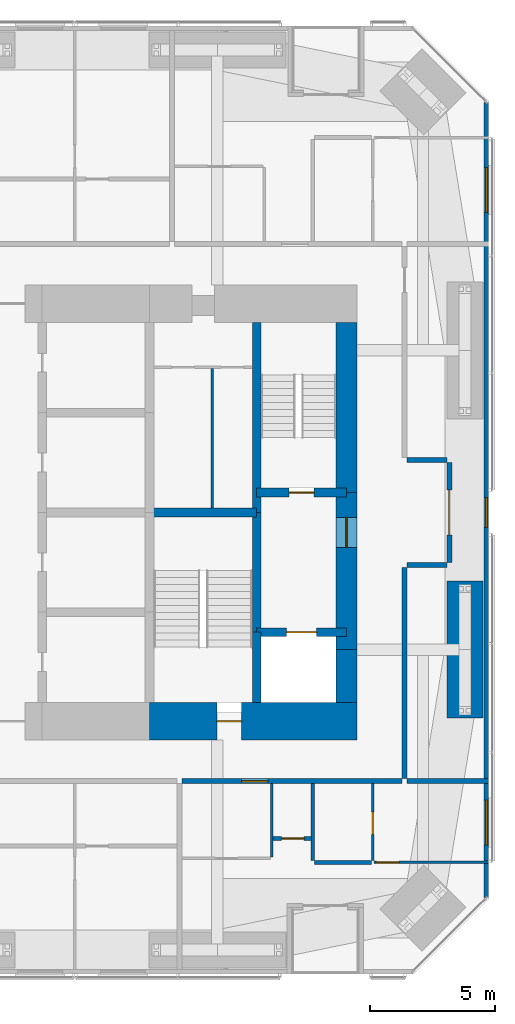
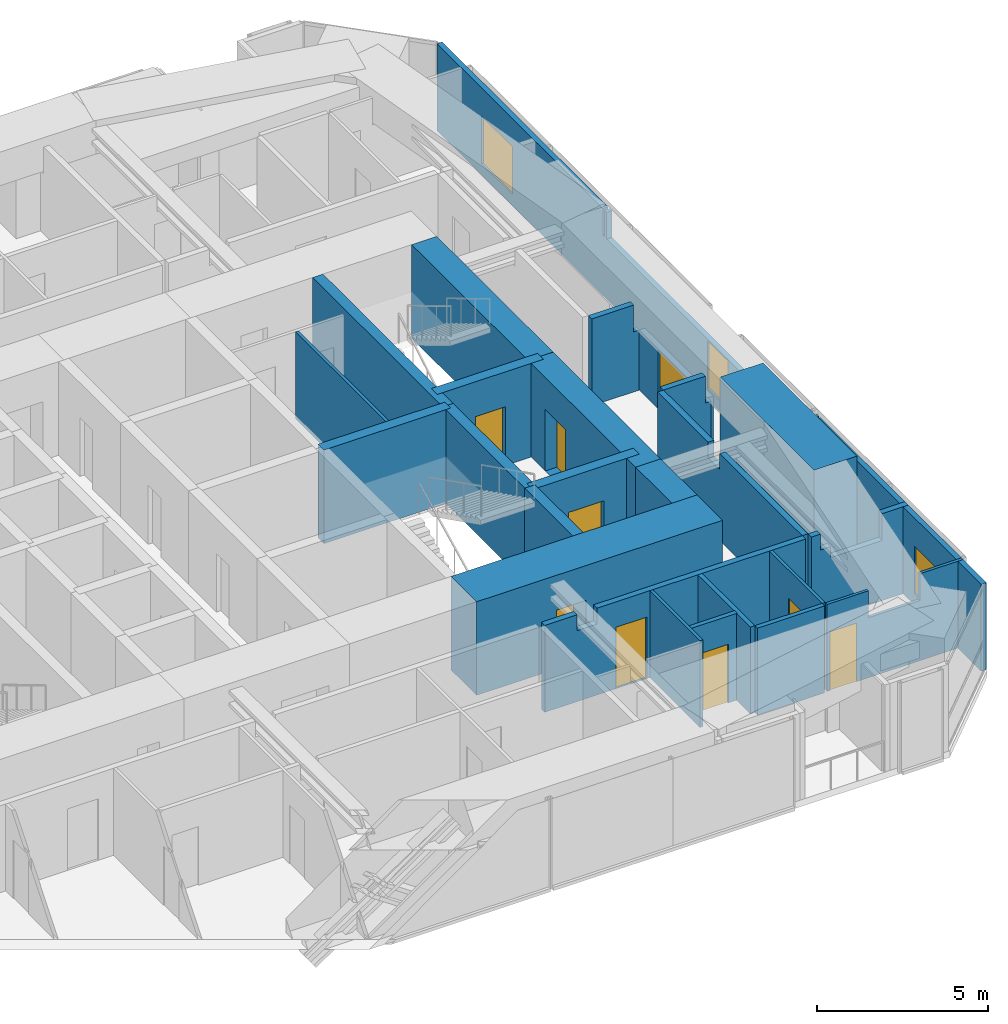
# One storey, part 20 of 23: 25 walls, 9 doors, 3 windows, 12 openings.
"""IFC4 building model written with IfcOpenShell, lengths in metres."""

from ifc_helpers import new_model, si_unit, direction, frame, frame_2d, origin, place, context, subcontext, project, spatial, polyline, rectangle, outline, extrude, material, layer, layer_set, constituent, constituent_set, type_object, element, fill, save


model = new_model("IFC4")

# Units and contexts
model_context = context("Model", 3, precision=1e-05, world=origin(), true_north=direction((0.0, 1.0)))
body_context = subcontext(model_context, "Body", "Model", "MODEL_VIEW")
ifc_project = project(units=[si_unit("LENGTHUNIT", "METRE"), si_unit("AREAUNIT", "SQUARE_METRE"), si_unit("VOLUMEUNIT", "CUBIC_METRE"), si_unit("PLANEANGLEUNIT", "RADIAN"), si_unit("MASSUNIT", "GRAM", prefix="KILO")], contexts=[model_context])

# Site, building, storey
site_placement = place(None, origin())
site = spatial("IfcSite", under=ifc_project, at=site_placement, CompositionType="ELEMENT")
building_placement = place(site_placement, origin())
building = spatial("IfcBuilding", under=site, at=building_placement, Name="Jalousie Tower", CompositionType="ELEMENT")
storey_placement = place(building_placement, frame((0.0, 0.0, 121.60009765625)))
storey = spatial("IfcBuildingStorey", under=building, at=storey_placement, Name="L33", CompositionType="ELEMENT", Elevation=121.60009765625)

# Walls
ifc_material_1 = material(Name="Concrete block ASTM C90", Category="concrete")
ifc_constituent_1 = constituent(ifc_material_1, Name="Body")
ifc_material_2 = material(Name="Render")
ifc_constituent_2 = constituent(ifc_material_2, Name="Finish")
ifc_constituent_set_1 = constituent_set(constituents=[ifc_constituent_1, ifc_constituent_2])
wall_type_1 = type_object("IfcWallType", Name="BATHROOM WALL 150", PredefinedType="PLUMBINGWALL", material=ifc_constituent_set_1)
wall_1_placement = place(storey_placement, frame((42.52490234375, 4.4638671875, 0.0), z_axis=(0.0, 0.0, 1.0), x_axis=(1.0, 0.0, 0.0)))
element("IfcWall", 1, at=wall_1_placement, inside=storey, type_object=wall_type_1, Name="Bathroom Wall 150 L33", PredefinedType="PLUMBINGWALL", context=body_context, shape_type="SweptSolid", body=[
    extrude(rectangle(XDim=2.275146484375, YDim=0.14990234375, at=frame_2d((1.1376953125, 0.0))), origin(), (0.0, 0.0, 1.0), 3.10986328125),
])
wall_2_placement = place(storey_placement, frame((42.449951171875, 4.538818359375, 0.0), z_axis=(0.0, 0.0, 1.0), x_axis=(0.0, 1.0, 0.0)))
element("IfcWall", 2, at=wall_2_placement, inside=storey, type_object=wall_type_1, Name="Bathroom Wall 150 L33", PredefinedType="PLUMBINGWALL", context=body_context, shape_type="SweptSolid", body=[
    extrude(rectangle(XDim=3.086181640625, YDim=0.14990234375, at=frame_2d((1.54296875, 0.0))), origin(), (0.0, 0.0, 1.0), 3.10986328125),
])

# Wall, opening, door
wall_3_placement = place(storey_placement, frame((40.85009765625, 5.425048828125, 0.0), z_axis=(0.0, 0.0, 1.0), x_axis=(1.0, 0.0, 0.0)))
wall_3 = element("IfcWall", 3, at=wall_3_placement, inside=storey, type_object=wall_type_1, Name="Bathroom Wall 150 L33", PredefinedType="PLUMBINGWALL", context=body_context, shape_type="SweptSolid", body=[
    extrude(rectangle(XDim=1.5498046875, YDim=0.14990234375, at=frame_2d((0.77490234375, 0.0))), origin(), (0.0, 0.0, 1.0), 3.10986328125),
])
opening_1_placement = place(wall_3_placement, frame((0.35009765625, 0.0, 0.0)))
opening_1 = element("IfcOpeningElement", 4, at=opening_1_placement, cuts=wall_3, Name="Opening D7", PredefinedType="OPENING", context=body_context, shape_type="SweptSolid", body=[
    extrude(rectangle(XDim=0.89990234375, YDim=2.10009765625, at=frame_2d((0.449951171875, 1.050048828125))), frame((0.0, 0.0849609375, 0.0), z_axis=(0.0, -1.0, 0.0), x_axis=(1.0, 0.0, 0.0)), (0.0, 0.0, 1.0), 0.169921875),
])
ifc_material_3 = material(Name="Timber door", Category="wood")
door_type_1 = type_object("IfcDoorType", Name="INTERNAL DOOR 900", OperationType="SINGLE_SWING_LEFT", PredefinedType="DOOR", material=ifc_material_3)
door_1_placement = place(opening_1_placement, origin())
door_1 = element("IfcDoor", 5, at=door_1_placement, inside=storey, type_object=door_type_1, Name="Apartment 3302 guest WC door", OperationType="SINGLE_SWING_RIGHT", OverallHeight=2.10009765625, OverallWidth=0.89990234375, PredefinedType="DOOR", context=body_context, shape_type="SweptSolid", body=[
    extrude(rectangle(XDim=0.89990234375, YDim=2.10009765625, at=frame_2d((0.449951171875, 1.050048828125))), frame((0.0, 0.02490234375, 0.0), z_axis=(0.0, -1.0, 0.0), x_axis=(1.0, 0.0, 0.0)), (0.0, 0.0, 1.0), 0.050048828125),
])
fill(opening_1, door_1)

ifc_material_4 = material(Name="Concrete f'c 120 MPa", Category="concrete")
ifc_layer_1 = layer(ifc_material_4, 1.5)
ifc_layer_set_1 = layer_set([ifc_layer_1], Name="Concrete f'c 120 MPa")
wall_type_2 = type_object("IfcWallType", Name="CORE WALL 1500", PredefinedType="SHEAR", material=ifc_layer_set_1)
wall_4_placement = place(storey_placement, frame((35.89990234375, 10.125, 0.0), z_axis=(0.0, 0.0, 1.0), x_axis=(1.0, 0.0, 0.0)))
wall_4 = element("IfcWall", 6, at=wall_4_placement, inside=storey, type_object=wall_type_2, Name="Core wall SD L33", PredefinedType="SHEAR", context=body_context, shape_type="SweptSolid", body=[
    extrude(rectangle(XDim=8.3251953125, YDim=1.5, at=frame_2d((4.16259765625, 0.0))), origin(), (0.0, 0.0, 1.0), 3.349853515625),
])
opening_2_placement = place(wall_4_placement, frame((2.699951171875, 0.0, 0.0)))
opening_2 = element("IfcOpeningElement", 7, at=opening_2_placement, cuts=wall_4, Name="Opening D10", PredefinedType="OPENING", context=body_context, shape_type="SweptSolid", body=[
    extrude(rectangle(XDim=1.0, YDim=2.10009765625, at=frame_2d((0.5, 1.050048828125))), frame((0.0, 0.760009765625, 0.0), z_axis=(0.0, -1.0, 0.0), x_axis=(1.0, 0.0, 0.0)), (0.0, 0.0, 1.0), 1.52001953125),
])
ifc_material_5 = material(Name="Steel fire door", Category="steel")
door_type_2 = type_object("IfcDoorType", Name="STAIR DOOR 1000", OperationType="SINGLE_SWING_LEFT", PredefinedType="DOOR", material=ifc_material_5)
door_2_placement = place(opening_2_placement, origin())
door_2 = element("IfcDoor", 8, at=door_2_placement, inside=storey, type_object=door_type_2, Name="Exit stair C door", OperationType="SINGLE_SWING_RIGHT", OverallHeight=2.10009765625, OverallWidth=1.0, PredefinedType="DOOR", context=body_context, shape_type="SweptSolid", body=[
    extrude(rectangle(XDim=1.0, YDim=2.10009765625, at=frame_2d((0.5, 1.050048828125))), frame((0.0, 0.02490234375, 0.0), z_axis=(0.0, -1.0, 0.0), x_axis=(1.0, 0.0, 0.0)), (0.0, 0.0, 1.0), 0.050048828125),
])
fill(opening_2, door_2)

# Walls
ifc_material_6 = material(Name="Concrete f'c 120 MPa", Category="concrete")
ifc_layer_2 = layer(ifc_material_6, 0.35009765625)
ifc_layer_set_2 = layer_set([ifc_layer_2], Name="Concrete f'c 120 MPa")
wall_type_3 = type_object("IfcWallType", Name="CORE WALL 350", PredefinedType="SHEAR", material=ifc_layer_set_2)
wall_5_placement = place(storey_placement, frame((40.199951171875, 10.875, 0.0), z_axis=(0.0, 0.0, 1.0), x_axis=(0.0, 1.0, 0.0)))
element("IfcWall", 9, at=wall_5_placement, inside=storey, type_object=wall_type_3, Name="Core wall X40.2A L33", PredefinedType="SHEAR", context=body_context, shape_type="SweptSolid", body=[
    extrude(rectangle(XDim=2.824951171875, YDim=0.35009765625, at=frame_2d((1.41259765625, 0.0))), origin(), (0.0, 0.0, 1.0), 3.349853515625),
])
wall_6_placement = place(storey_placement, frame((40.199951171875, 13.699951171875, 0.0), z_axis=(0.0, 0.0, 1.0), x_axis=(0.0, 1.0, 0.0)))
element("IfcWall", 10, at=wall_6_placement, inside=storey, type_object=wall_type_3, Name="Core wall X40.2B L33", PredefinedType="SHEAR", context=body_context, shape_type="SweptSolid", body=[
    extrude(rectangle(XDim=4.800048828125, YDim=0.35009765625, at=frame_2d((2.39990234375, 0.0))), origin(), (0.0, 0.0, 1.0), 3.349853515625),
])
wall_7_placement = place(storey_placement, frame((40.199951171875, 18.5, 0.0), z_axis=(0.0, 0.0, 1.0), x_axis=(0.0, 1.0, 0.0)))
element("IfcWall", 11, at=wall_7_placement, inside=storey, type_object=wall_type_3, Name="Core wall X40.2C L33", PredefinedType="SHEAR", context=body_context, shape_type="SweptSolid", body=[
    extrude(rectangle(XDim=7.625, YDim=0.35009765625, at=frame_2d((3.8125, 0.0))), origin(), (0.0, 0.0, 1.0), 3.349853515625),
])
wall_8_placement = place(storey_placement, frame((35.89990234375, 18.5, 0.0), z_axis=(0.0, 0.0, 1.0), x_axis=(1.0, 0.0, 0.0)))
element("IfcWall", 12, at=wall_8_placement, inside=storey, type_object=wall_type_3, Name="Core wall Y35.9-18.5 L33", PredefinedType="SHEAR", context=body_context, shape_type="SweptSolid", body=[
    extrude(rectangle(XDim=4.300048828125, YDim=0.35009765625, at=frame_2d((2.14990234375, 0.0))), origin(), (0.0, 0.0, 1.0), 3.349853515625),
])

# Wall, opening, door
wall_9_placement = place(storey_placement, frame((40.199951171875, 13.699951171875, 0.0), z_axis=(0.0, 0.0, 1.0), x_axis=(1.0, 0.0, 0.0)))
wall_9 = element("IfcWall", 13, at=wall_9_placement, inside=storey, type_object=wall_type_3, Name="Core wall Y40.2-13.7 L33", PredefinedType="SHEAR", context=body_context, shape_type="SweptSolid", body=[
    extrude(rectangle(XDim=3.60009765625, YDim=0.35009765625, at=frame_2d((1.800048828125, 0.0))), origin(), (0.0, 0.0, 1.0), 3.349853515625),
])
opening_3_placement = place(wall_9_placement, frame((1.199951171875, 0.0, 0.0)))
opening_3 = element("IfcOpeningElement", 14, at=opening_3_placement, cuts=wall_9, Name="Opening LD2", PredefinedType="OPENING", context=body_context, shape_type="SweptSolid", body=[
    extrude(rectangle(XDim=1.199951171875, YDim=2.10009765625, at=frame_2d((0.60009765625, 1.050048828125))), frame((0.0, 0.18505859375, 0.0), z_axis=(0.0, -1.0, 0.0), x_axis=(1.0, 0.0, 0.0)), (0.0, 0.0, 1.0), 0.3701171875),
])
ifc_material_7 = material(Name="Steel lift landing door", Category="steel")
door_type_3 = type_object("IfcDoorType", Name="LIFT LANDING DOOR 1200", OperationType="SLIDING_TO_LEFT", PredefinedType="DOOR", material=ifc_material_7)
door_3_placement = place(opening_3_placement, origin())
door_3 = element("IfcDoor", 15, at=door_3_placement, inside=storey, type_object=door_type_3, Name="Lift F2 landing door", OperationType="SLIDING_TO_LEFT", OverallHeight=2.10009765625, OverallWidth=1.199951171875, PredefinedType="DOOR", context=body_context, shape_type="SweptSolid", body=[
    extrude(rectangle(XDim=1.199951171875, YDim=2.10009765625, at=frame_2d((0.60009765625, 1.050048828125))), frame((0.0, 0.02490234375, 0.0), z_axis=(0.0, -1.0, 0.0), x_axis=(1.0, 0.0, 0.0)), (0.0, 0.0, 1.0), 0.050048828125),
])
fill(opening_3, door_3)

wall_10_placement = place(storey_placement, frame((40.199951171875, 19.300048828125, 0.0), z_axis=(0.0, 0.0, 1.0), x_axis=(1.0, 0.0, 0.0)))
wall_10 = element("IfcWall", 16, at=wall_10_placement, inside=storey, type_object=wall_type_3, Name="Core wall Y40.2-19.3 L33", PredefinedType="SHEAR", context=body_context, shape_type="SweptSolid", body=[
    extrude(rectangle(XDim=3.60009765625, YDim=0.35009765625, at=frame_2d((1.800048828125, 0.0))), origin(), (0.0, 0.0, 1.0), 3.349853515625),
])
opening_4_placement = place(wall_10_placement, frame((1.300048828125, 0.0, 0.0)))
opening_4 = element("IfcOpeningElement", 17, at=opening_4_placement, cuts=wall_10, Name="Opening D10", PredefinedType="OPENING", context=body_context, shape_type="SweptSolid", body=[
    extrude(rectangle(XDim=1.0, YDim=2.10009765625, at=frame_2d((0.5, 1.050048828125))), frame((0.0, 0.18505859375, 0.0), z_axis=(0.0, -1.0, 0.0), x_axis=(1.0, 0.0, 0.0)), (0.0, 0.0, 1.0), 0.3701171875),
])
door_4_placement = place(opening_4_placement, origin())
door_4 = element("IfcDoor", 18, at=door_4_placement, inside=storey, type_object=door_type_2, Name="Exit stair B door", OperationType="SINGLE_SWING_RIGHT", OverallHeight=2.10009765625, OverallWidth=1.0, PredefinedType="DOOR", context=body_context, shape_type="SweptSolid", body=[
    extrude(rectangle(XDim=1.0, YDim=2.10009765625, at=frame_2d((0.5, 1.050048828125))), frame((0.0, 0.02490234375, 0.0), z_axis=(0.0, -1.0, 0.0), x_axis=(1.0, 0.0, 0.0)), (0.0, 0.0, 1.0), 0.050048828125),
])
fill(opening_4, door_4)

# Wall
ifc_material_8 = material(Name="Concrete f'c 120 MPa", Category="concrete")
ifc_layer_3 = layer(ifc_material_8, 0.85009765625)
ifc_layer_set_3 = layer_set([ifc_layer_3], Name="Concrete f'c 120 MPa")
wall_type_4 = type_object("IfcWallType", Name="CORE WALL 850", PredefinedType="SHEAR", material=ifc_layer_set_3)
wall_11_placement = place(storey_placement, frame((43.800048828125, 10.875, 0.0), z_axis=(0.0, 0.0, 1.0), x_axis=(0.0, 1.0, 0.0)))
element("IfcWall", 19, at=wall_11_placement, inside=storey, type_object=wall_type_4, Name="Core wall EA L33", PredefinedType="SHEAR", context=body_context, shape_type="SweptSolid", body=[
    extrude(rectangle(XDim=2.125, YDim=0.85009765625, at=frame_2d((1.0625, 0.0))), origin(), (0.0, 0.0, 1.0), 3.349853515625),
])

# Wall, opening, door
wall_12_placement = place(storey_placement, frame((43.800048828125, 13.0, 0.0), z_axis=(0.0, 0.0, 1.0), x_axis=(0.0, 1.0, 0.0)))
wall_12 = element("IfcWall", 20, at=wall_12_placement, inside=storey, type_object=wall_type_4, Name="Core wall EB L33", PredefinedType="SHEAR", context=body_context, shape_type="SweptSolid", body=[
    extrude(rectangle(XDim=6.300048828125, YDim=0.85009765625, at=frame_2d((3.14990234375, 0.0))), origin(), (0.0, 0.0, 1.0), 3.349853515625),
])
opening_5_placement = place(wall_12_placement, frame((4.10009765625, 0.0, 0.0)))
opening_5 = element("IfcOpeningElement", 21, at=opening_5_placement, cuts=wall_12, Name="Opening D11", PredefinedType="OPENING", context=body_context, shape_type="SweptSolid", body=[
    extrude(rectangle(XDim=1.199951171875, YDim=2.199951171875, at=frame_2d((0.60009765625, 1.10009765625))), frame((0.0, 0.43505859375, 0.0), z_axis=(0.0, -1.0, 0.0), x_axis=(1.0, 0.0, 0.0)), (0.0, 0.0, 1.0), 0.8701171875),
])
ifc_material_9 = material(Name="Steel fire door", Category="steel")
door_type_4 = type_object("IfcDoorType", Name="FIRE DOOR 1200", OperationType="SINGLE_SWING_LEFT", PredefinedType="DOOR", material=ifc_material_9)
door_5_placement = place(opening_5_placement, origin())
door_5 = element("IfcDoor", 22, at=door_5_placement, inside=storey, type_object=door_type_4, Name="Fire-fighting lobby B door", OperationType="SINGLE_SWING_RIGHT", OverallHeight=2.199951171875, OverallWidth=1.199951171875, PredefinedType="DOOR", context=body_context, shape_type="SweptSolid", body=[
    extrude(rectangle(XDim=1.199951171875, YDim=2.199951171875, at=frame_2d((0.60009765625, 1.10009765625))), frame((0.0, 0.02490234375, 0.0), z_axis=(0.0, -1.0, 0.0), x_axis=(1.0, 0.0, 0.0)), (0.0, 0.0, 1.0), 0.050048828125),
])
fill(opening_5, door_5)

# Wall
wall_13_placement = place(storey_placement, frame((43.800048828125, 19.300048828125, 0.0), z_axis=(0.0, 0.0, 1.0), x_axis=(0.0, 1.0, 0.0)))
element("IfcWall", 23, at=wall_13_placement, inside=storey, type_object=wall_type_4, Name="Core wall EC L33", PredefinedType="SHEAR", context=body_context, shape_type="SweptSolid", body=[
    extrude(rectangle(XDim=6.824951171875, YDim=0.85009765625, at=frame_2d((3.41259765625, 0.0))), origin(), (0.0, 0.0, 1.0), 3.349853515625),
])

# Wall, opening, door
ifc_material_10 = material(Name="Concrete block ASTM C90", Category="concrete")
ifc_constituent_3 = constituent(ifc_material_10, Name="Body")
ifc_material_11 = material(Name="Render")
ifc_constituent_4 = constituent(ifc_material_11, Name="Finish")
ifc_constituent_set_2 = constituent_set(constituents=[ifc_constituent_3, ifc_constituent_4])
wall_type_5 = type_object("IfcWallType", Name="CORRIDOR WALL 200", PredefinedType="PARTITIONING", material=ifc_constituent_set_2)
wall_14_placement = place(storey_placement, frame((37.199951171875, 7.72509765625, 0.0), z_axis=(0.0, 0.0, 1.0), x_axis=(1.0, 0.0, 0.0)))
wall_14 = element("IfcWall", 24, at=wall_14_placement, inside=storey, type_object=wall_type_5, Name="Corridor Wall 200 L33", PredefinedType="PARTITIONING", context=body_context, shape_type="SweptSolid", body=[
    extrude(outline(polyline([(0.0, 0.0), (8.824951171875, 0.0), (8.824951171875, 3.10986328125), (1.76220703125, 3.10986328125), (1.76220703125, 2.541015625), (1.087646484375, 2.541015625), (1.087646484375, 3.10986328125), (0.0, 3.10986328125), (0.0, 0.0)])), frame((0.0, 0.10009765625, 0.0), z_axis=(0.0, -1.0, 0.0), x_axis=(1.0, 0.0, 0.0)), (0.0, 0.0, 1.0), 0.199951171875),
])
opening_6_placement = place(wall_14_placement, frame((2.39990234375, 0.0, 0.0)))
opening_6 = element("IfcOpeningElement", 25, at=opening_6_placement, cuts=wall_14, Name="Opening D1", PredefinedType="OPENING", context=body_context, shape_type="SweptSolid", body=[
    extrude(rectangle(XDim=1.050048828125, YDim=2.199951171875, at=frame_2d((0.52490234375, 1.10009765625))), frame((0.0, 0.10986328125, 0.0), z_axis=(0.0, -1.0, 0.0), x_axis=(1.0, 0.0, 0.0)), (0.0, 0.0, 1.0), 0.219970703125),
])
ifc_material_12 = material(Name="Timber fire door", Category="wood")
door_type_5 = type_object("IfcDoorType", Name="APARTMENT ENTRANCE DOOR 1050", OperationType="SINGLE_SWING_LEFT", PredefinedType="DOOR", material=ifc_material_12)
door_6_placement = place(opening_6_placement, frame((1.050048828125, 0.0, 0.0), z_axis=(0.0, 0.0, 1.0), x_axis=(-1.0, 0.0, 0.0)))
door_6 = element("IfcDoor", 26, at=door_6_placement, inside=storey, type_object=door_type_5, Name="Apartment 3302 entrance", OperationType="SINGLE_SWING_LEFT", OverallHeight=2.199951171875, OverallWidth=1.050048828125, PredefinedType="DOOR", context=body_context, shape_type="SweptSolid", body=[
    extrude(rectangle(XDim=1.050048828125, YDim=2.199951171875, at=frame_2d((0.52490234375, 1.10009765625))), frame((0.0, 0.02490234375, 0.0), z_axis=(0.0, -1.0, 0.0), x_axis=(1.0, 0.0, 0.0)), (0.0, 0.0, 1.0), 0.050048828125),
])
fill(opening_6, door_6)

# Wall
wall_15_placement = place(storey_placement, frame((46.125, 7.824951171875, 0.0), z_axis=(0.0, 0.0, 1.0), x_axis=(0.0, 1.0, 0.0)))
element("IfcWall", 27, at=wall_15_placement, inside=storey, type_object=wall_type_5, Name="Corridor Wall 200 L33", PredefinedType="PARTITIONING", context=body_context, shape_type="SweptSolid", body=[
    extrude(outline(polyline([(0.0, 0.0), (8.47509765625, 0.0), (8.47509765625, 3.10986328125), (5.51220703125, 3.10986328125), (5.51220703125, 2.541015625), (4.837646484375, 2.541015625), (4.837646484375, 3.10986328125), (0.0, 3.10986328125), (0.0, 0.0)])), frame((0.0, 0.10009765625, 0.0), z_axis=(0.0, -1.0, 0.0), x_axis=(1.0, 0.0, 0.0)), (0.0, 0.0, 1.0), 0.199951171875),
])

# Wall, opening, door
wall_16_placement = place(storey_placement, frame((47.925048828125, 16.5, 0.0), z_axis=(0.0, 0.0, 1.0), x_axis=(0.0, 1.0, 0.0)))
wall_16 = element("IfcWall", 28, at=wall_16_placement, inside=storey, type_object=wall_type_5, Name="Corridor Wall 200 L33", PredefinedType="PARTITIONING", context=body_context, shape_type="SweptSolid", body=[
    extrude(outline(polyline([(0.0, 0.0), (4.0, 0.0), (4.0, 3.10986328125), (4.0, 2.14990234375), (0.0, 2.14990234375), (0.0, 3.10986328125), (0.0, 0.0)])), frame((0.0, 0.10009765625, 0.0), z_axis=(0.0, -1.0, 0.0), x_axis=(1.0, 0.0, 0.0)), (0.0, 0.0, 1.0), 0.199951171875),
])
opening_7_placement = place(wall_16_placement, frame((1.10009765625, 0.0, 0.0)))
opening_7 = element("IfcOpeningElement", 29, at=opening_7_placement, cuts=wall_16, Name="Opening D22", PredefinedType="OPENING", context=body_context, shape_type="SweptSolid", body=[
    extrude(rectangle(XDim=1.800048828125, YDim=2.10009765625, at=frame_2d((0.89990234375, 1.050048828125))), frame((0.0, 0.10986328125, 0.0), z_axis=(0.0, -1.0, 0.0), x_axis=(1.0, 0.0, 0.0)), (0.0, 0.0, 1.0), 0.219970703125),
])
ifc_material_13 = material(Name="Timber fire door", Category="wood")
door_type_6 = type_object("IfcDoorType", Name="CORRIDOR DOUBLE DOOR 1800", OperationType="DOUBLE_DOOR_SINGLE_SWING", PredefinedType="DOOR", material=ifc_material_13)
door_7_placement = place(opening_7_placement, frame((1.800048828125, 0.0, 0.0), z_axis=(0.0, 0.0, 1.0), x_axis=(-1.0, 0.0, 0.0)))
door_7 = element("IfcDoor", 30, at=door_7_placement, inside=storey, type_object=door_type_6, Name="Lounge door", OperationType="DOUBLE_DOOR_SINGLE_SWING", OverallHeight=2.10009765625, OverallWidth=1.800048828125, PredefinedType="DOOR", context=body_context, shape_type="SweptSolid", body=[
    extrude(rectangle(XDim=1.800048828125, YDim=2.10009765625, at=frame_2d((0.89990234375, 1.050048828125))), frame((0.0, 0.02490234375, 0.0), z_axis=(0.0, -1.0, 0.0), x_axis=(1.0, 0.0, 0.0)), (0.0, 0.0, 1.0), 0.050048828125),
])
fill(opening_7, door_7)

# Walls
for number, where, z_axis, x_axis, name in (
    (31, (46.22509765625, 16.39990234375, 0.0), (0.0, 0.0, 1.0), (1.0, 0.0, 0.0), "Corridor Wall 200 L33"),
    (32, (46.22509765625, 20.60009765625, 0.0), (0.0, 0.0, 1.0), (1.0, 0.0, 0.0), "Corridor Wall 200 L33"),
):
    element("IfcWall", number, at=place(storey_placement, frame(where, z_axis=z_axis, x_axis=x_axis)), inside=storey, type_object=wall_type_5, Name=name, PredefinedType="PARTITIONING", context=body_context, shape_type="SweptSolid", body=[
        extrude(outline(polyline([(0.0, 0.0), (1.599853515625, 0.0), (1.60009765625, 3.10986328125), (1.60009765625, 2.14990234375), (1.4150390625, 2.14990234375), (1.4150390625, 3.10986328125), (0.0, 3.10986328125), (0.0, 0.0)])), frame((0.0, 0.10009765625, 0.0), z_axis=(0.0, -1.0, 0.0), x_axis=(1.0, 0.0, 0.0)), (0.0, 0.0, 1.0), 0.199951171875),
    ])

# Wall, openings, windows
ifc_material_14 = material(Name="Concrete f'c 40 MPa", Category="concrete")
ifc_constituent_5 = constituent(ifc_material_14, Name="Body")
ifc_material_15 = material(Name="Render, pastel sea green")
ifc_constituent_6 = constituent(ifc_material_15, Name="Finish")
ifc_constituent_set_3 = constituent_set(constituents=[ifc_constituent_5, ifc_constituent_6])
wall_type_6 = type_object("IfcWallType", Name="EXTERNAL WALL 175 SEA GREEN RENDER", PredefinedType="SOLIDWALL", material=ifc_constituent_set_3)
wall_17_placement = place(storey_placement, frame((49.41259765625, 3.05126953125, 0.0), z_axis=(0.0, 0.0, 1.0), x_axis=(0.0, 1.0, 0.0)))
wall_17 = element("IfcWall", 33, at=wall_17_placement, inside=storey, type_object=wall_type_6, Name="External Wall 175 Sea Green Render L33", PredefinedType="SOLIDWALL", context=body_context, shape_type="SweptSolid", body=[
    extrude(outline(polyline([(0.0, 0.0), (31.8974609375, 0.0), (31.8974609375, 3.10986328125), (22.167236328125, 3.10986328125), (22.167236328125, 2.14990234375), (22.074462890625, 2.14990234375), (22.074462890625, 3.10986328125), (21.94873046875, 3.10986328125), (21.94873046875, 2.14990234375), (9.94873046875, 2.14990234375), (9.94873046875, 3.10986328125), (9.822998046875, 3.10986328125), (9.822998046875, 2.14990234375), (9.72998046875, 2.14990234375), (9.72998046875, 3.10986328125), (0.0, 3.10986328125), (0.0, 0.0)])), frame((0.0, 0.08740234375, 0.0), z_axis=(0.0, -1.0, 0.0), x_axis=(1.0, 0.0, 0.0)), (0.0, 0.0, 1.0), 0.175048828125),
])
opening_8_placement = place(wall_17_placement, frame((2.1181640625, 0.0, 0.39990234375)))
opening_8 = element("IfcOpeningElement", 34, at=opening_8_placement, cuts=wall_17, Name="Opening W-BED170", PredefinedType="OPENING", context=body_context, shape_type="SweptSolid", body=[
    extrude(rectangle(XDim=1.800048828125, YDim=1.699951171875, at=frame_2d((0.89990234375, 0.85009765625))), frame((0.0, 0.097412109375, 0.0), z_axis=(0.0, -1.0, 0.0), x_axis=(1.0, 0.0, 0.0)), (0.0, 0.0, 1.0), 0.195068359375),
])
opening_9_placement = place(wall_17_placement, frame((14.8486328125, 0.0, 0.39990234375)))
opening_9 = element("IfcOpeningElement", 35, at=opening_9_placement, cuts=wall_17, Name="Opening W-COR170", PredefinedType="OPENING", context=body_context, shape_type="SweptSolid", body=[
    extrude(rectangle(XDim=1.199951171875, YDim=1.699951171875, at=frame_2d((0.60009765625, 0.85009765625))), frame((0.0, 0.097412109375, 0.0), z_axis=(0.0, -1.0, 0.0), x_axis=(1.0, 0.0, 0.0)), (0.0, 0.0, 1.0), 0.195068359375),
])
opening_10_placement = place(wall_17_placement, frame((27.479248046875, 0.0, 0.39990234375)))
opening_10 = element("IfcOpeningElement", 36, at=opening_10_placement, cuts=wall_17, Name="Opening W-BED170", PredefinedType="OPENING", context=body_context, shape_type="SweptSolid", body=[
    extrude(rectangle(XDim=1.800048828125, YDim=1.699951171875, at=frame_2d((0.89990234375, 0.85009765625))), frame((0.0, 0.097412109375, 0.0), z_axis=(0.0, -1.0, 0.0), x_axis=(1.0, 0.0, 0.0)), (0.0, 0.0, 1.0), 0.195068359375),
])
ifc_material_16 = material(Name="Aluminium frame, impact-rated glazing", Category="aluminium")
window_type_1 = type_object("IfcWindowType", Name="WINDOW BED 1800x1700", PartitioningType="SINGLE_PANEL", PredefinedType="WINDOW", material=ifc_material_16)
window_1_placement = place(opening_8_placement, origin())
window_1 = element("IfcWindow", 37, at=window_1_placement, inside=storey, type_object=window_type_1, Name="Apartment 3302 bedroom 1 window", OverallHeight=1.699951171875, OverallWidth=1.800048828125, PartitioningType="SINGLE_PANEL", PredefinedType="WINDOW", context=body_context, shape_type="SweptSolid", body=[
    extrude(rectangle(XDim=1.800048828125, YDim=1.699951171875, at=frame_2d((0.89990234375, 0.85009765625))), frame((0.0, 0.030029296875, 0.0), z_axis=(0.0, -1.0, 0.0), x_axis=(1.0, 0.0, 0.0)), (0.0, 0.0, 1.0), 0.06005859375),
])
fill(opening_8, window_1)
window_2_placement = place(opening_10_placement, origin())
window_2 = element("IfcWindow", 38, at=window_2_placement, inside=storey, type_object=window_type_1, Name="Apartment 3304 bedroom 1 window", OverallHeight=1.699951171875, OverallWidth=1.800048828125, PartitioningType="SINGLE_PANEL", PredefinedType="WINDOW", context=body_context, shape_type="SweptSolid", body=[
    extrude(rectangle(XDim=1.800048828125, YDim=1.699951171875, at=frame_2d((0.89990234375, 0.85009765625))), frame((0.0, 0.030029296875, 0.0), z_axis=(0.0, -1.0, 0.0), x_axis=(1.0, 0.0, 0.0)), (0.0, 0.0, 1.0), 0.06005859375),
])
fill(opening_10, window_2)
ifc_material_17 = material(Name="Aluminium frame, impact-rated glazing", Category="aluminium")
window_type_2 = type_object("IfcWindowType", Name="WINDOW COR 1200x1700", PartitioningType="SINGLE_PANEL", PredefinedType="WINDOW", material=ifc_material_17)
window_3_placement = place(opening_9_placement, origin())
window_3 = element("IfcWindow", 39, at=window_3_placement, inside=storey, type_object=window_type_2, Name="Residents' lounge window", OverallHeight=1.699951171875, OverallWidth=1.199951171875, PartitioningType="SINGLE_PANEL", PredefinedType="WINDOW", context=body_context, shape_type="SweptSolid", body=[
    extrude(rectangle(XDim=1.199951171875, YDim=1.699951171875, at=frame_2d((0.60009765625, 0.85009765625))), frame((0.0, 0.030029296875, 0.0), z_axis=(0.0, -1.0, 0.0), x_axis=(1.0, 0.0, 0.0)), (0.0, 0.0, 1.0), 0.06005859375),
])
fill(opening_9, window_3)

# Wall, opening, door
ifc_material_18 = material(Name="Gypsum board", Category="gypsum")
ifc_constituent_7 = constituent(ifc_material_18, Name="Body")
ifc_material_19 = material(Name="Light-gauge steel studs ASTM A653 SS Grade 33", Category="steel")
ifc_constituent_8 = constituent(ifc_material_19, Name="Framing")
ifc_constituent_set_4 = constituent_set(constituents=[ifc_constituent_7, ifc_constituent_8])
wall_type_7 = type_object("IfcWallType", Name="PARTITION 100", PredefinedType="PARTITIONING", material=ifc_constituent_set_4)
wall_18_placement = place(storey_placement, frame((44.85009765625, 4.538818359375, 0.0), z_axis=(0.0, 0.0, 1.0), x_axis=(0.0, 1.0, 0.0)))
wall_18 = element("IfcWall", 40, at=wall_18_placement, inside=storey, type_object=wall_type_7, Name="Partition 100 L33", PredefinedType="PARTITIONING", context=body_context, shape_type="SweptSolid", body=[
    extrude(rectangle(XDim=3.086181640625, YDim=0.10009765625, at=frame_2d((1.54296875, 0.0))), origin(), (0.0, 0.0, 1.0), 3.10986328125),
])
opening_11_placement = place(wall_18_placement, frame((1.0556640625, 0.0, 0.0)))
opening_11 = element("IfcOpeningElement", 41, at=opening_11_placement, cuts=wall_18, Name="Opening D3", PredefinedType="OPENING", context=body_context, shape_type="SweptSolid", body=[
    extrude(rectangle(XDim=0.89990234375, YDim=2.10009765625, at=frame_2d((0.449951171875, 1.050048828125))), frame((0.0, 0.06005859375, 0.0), z_axis=(0.0, -1.0, 0.0), x_axis=(1.0, 0.0, 0.0)), (0.0, 0.0, 1.0), 0.1201171875),
])
ifc_material_20 = material(Name="Timber door", Category="wood")
door_type_7 = type_object("IfcDoorType", Name="BATHROOM DOOR 900", OperationType="SINGLE_SWING_LEFT", PredefinedType="DOOR", material=ifc_material_20)
door_8_placement = place(opening_11_placement, origin())
door_8 = element("IfcDoor", 42, at=door_8_placement, inside=storey, type_object=door_type_7, Name="Apartment 3302 bedroom 1 bathroom door", OperationType="SINGLE_SWING_LEFT", OverallHeight=2.10009765625, OverallWidth=0.89990234375, PredefinedType="DOOR", context=body_context, shape_type="SweptSolid", body=[
    extrude(rectangle(XDim=0.89990234375, YDim=2.10009765625, at=frame_2d((0.449951171875, 1.050048828125))), frame((0.0, 0.02490234375, 0.0), z_axis=(0.0, -1.0, 0.0), x_axis=(1.0, 0.0, 0.0)), (0.0, 0.0, 1.0), 0.050048828125),
])
fill(opening_11, door_8)

wall_19_placement = place(storey_placement, frame((44.89990234375, 4.4638671875, 0.0), z_axis=(0.0, 0.0, 1.0), x_axis=(1.0, 0.0, 0.0)))
wall_19 = element("IfcWall", 43, at=wall_19_placement, inside=storey, type_object=wall_type_7, Name="Partition 100 L33", PredefinedType="PARTITIONING", context=body_context, shape_type="SweptSolid", body=[
    extrude(outline(polyline([(0.0, 0.0), (4.60009765625, 0.0), (4.60009765625, 3.10986328125), (3.136962890625, 3.10986328125), (3.136962890625, 2.14990234375), (1.39453125, 2.14990234375), (1.39453125, 3.10986328125), (0.0, 3.10986328125), (0.0, 0.0)])), frame((0.0, 0.050048828125, 0.0), z_axis=(0.0, -1.0, 0.0), x_axis=(1.0, 0.0, 0.0)), (0.0, 0.0, 1.0), 0.10009765625),
])
opening_12_placement = place(wall_19_placement, frame((0.10009765625, 0.0, 0.0)))
opening_12 = element("IfcOpeningElement", 44, at=opening_12_placement, cuts=wall_19, Name="Opening D2", PredefinedType="OPENING", context=body_context, shape_type="SweptSolid", body=[
    extrude(rectangle(XDim=0.89990234375, YDim=2.10009765625, at=frame_2d((0.449951171875, 1.050048828125))), frame((0.0, 0.06005859375, 0.0), z_axis=(0.0, -1.0, 0.0), x_axis=(1.0, 0.0, 0.0)), (0.0, 0.0, 1.0), 0.1201171875),
])
ifc_material_21 = material(Name="Timber door", Category="wood")
door_type_8 = type_object("IfcDoorType", Name="BEDROOM DOOR 900", OperationType="SINGLE_SWING_LEFT", PredefinedType="DOOR", material=ifc_material_21)
door_9_placement = place(opening_12_placement, origin())
door_9 = element("IfcDoor", 45, at=door_9_placement, inside=storey, type_object=door_type_8, Name="Apartment 3302 bedroom 1 door", OperationType="SINGLE_SWING_LEFT", OverallHeight=2.10009765625, OverallWidth=0.89990234375, PredefinedType="DOOR", context=body_context, shape_type="SweptSolid", body=[
    extrude(rectangle(XDim=0.89990234375, YDim=2.10009765625, at=frame_2d((0.449951171875, 1.050048828125))), frame((0.0, 0.02490234375, 0.0), z_axis=(0.0, -1.0, 0.0), x_axis=(1.0, 0.0, 0.0)), (0.0, 0.0, 1.0), 0.050048828125),
])
fill(opening_12, door_9)

# Walls
wall_20_placement = place(storey_placement, frame((40.800048828125, 4.675048828125, 0.0), z_axis=(0.0, 0.0, 1.0), x_axis=(0.0, 1.0, 0.0)))
element("IfcWall", 46, at=wall_20_placement, inside=storey, type_object=wall_type_7, Name="Partition 100 L33", PredefinedType="PARTITIONING", context=body_context, shape_type="SweptSolid", body=[
    extrude(rectangle(XDim=2.949951171875, YDim=0.10009765625, at=frame_2d((1.47509765625, 0.0))), origin(), (0.0, 0.0, 1.0), 3.10986328125),
])
wall_21_placement = place(storey_placement, frame((38.425048828125, 18.675048828125, 0.0), z_axis=(0.0, 0.0, 1.0), x_axis=(0.0, 1.0, 0.0)))
element("IfcWall", 47, at=wall_21_placement, inside=storey, type_object=wall_type_7, Name="Partition 100 L33", PredefinedType="PARTITIONING", context=body_context, shape_type="SweptSolid", body=[
    extrude(rectangle(XDim=5.599853515625, YDim=0.10009765625, at=frame_2d((2.7998046875, 0.0))), origin(), (0.0, 0.0, 1.0), 3.10986328125),
])
ifc_material_22 = material(Name="Concrete block ASTM C90", Category="concrete")
ifc_constituent_9 = constituent(ifc_material_22, Name="Body")
ifc_material_23 = material(Name="Render")
ifc_constituent_10 = constituent(ifc_material_23, Name="Finish")
ifc_constituent_set_5 = constituent_set(constituents=[ifc_constituent_9, ifc_constituent_10])
wall_type_8 = type_object("IfcWallType", Name="PARTY WALL 200", PredefinedType="PARTITIONING", material=ifc_constituent_set_5)
wall_22_placement = place(storey_placement, frame((46.22509765625, 7.72509765625, 0.0), z_axis=(0.0, 0.0, 1.0), x_axis=(1.0, 0.0, 0.0)))
element("IfcWall", 48, at=wall_22_placement, inside=storey, type_object=wall_type_8, Name="Party Wall 200 L33", PredefinedType="PARTITIONING", context=body_context, shape_type="SweptSolid", body=[
    extrude(outline(polyline([(0.0, 0.0), (3.27490234375, 0.0), (3.27490234375, 3.10986328125), (2.3916015625, 3.10986328125), (2.3916015625, 2.14990234375), (0.642822265625, 2.14990234375), (0.642822265625, 2.541015625), (0.30615234375, 2.541015625), (0.30615234375, 3.10986328125), (0.0, 3.10986328125), (0.0, 0.0)])), frame((0.0, 0.10009765625, 0.0), z_axis=(0.0, -1.0, 0.0), x_axis=(1.0, 0.0, 0.0)), (0.0, 0.0, 1.0), 0.199951171875),
])
ifc_material_24 = material(Name="Concrete f'c 120 MPa", Category="concrete")
ifc_layer_4 = layer(ifc_material_24, 1.449951171875)
ifc_layer_set_4 = layer_set([ifc_layer_4], Name="Concrete f'c 120 MPa")
wall_type_9 = type_object("IfcWallType", Name="RC WALL PIER 1450", PredefinedType="SHEAR", material=ifc_layer_set_4)
wall_23_placement = place(storey_placement, frame((48.550048828125, 10.25, 0.0), z_axis=(0.0, 0.0, 1.0), x_axis=(0.0, 1.0, 0.0)))
element("IfcWall", 49, at=wall_23_placement, inside=storey, type_object=wall_type_9, Name="Wall pier 06 L33", PredefinedType="SHEAR", context=body_context, shape_type="SweptSolid", body=[
    extrude(rectangle(XDim=5.5, YDim=1.449951171875, at=frame_2d((2.75, 0.0))), origin(), (0.0, 0.0, 1.0), 3.349853515625),
])

save(model, "model.ifc")
